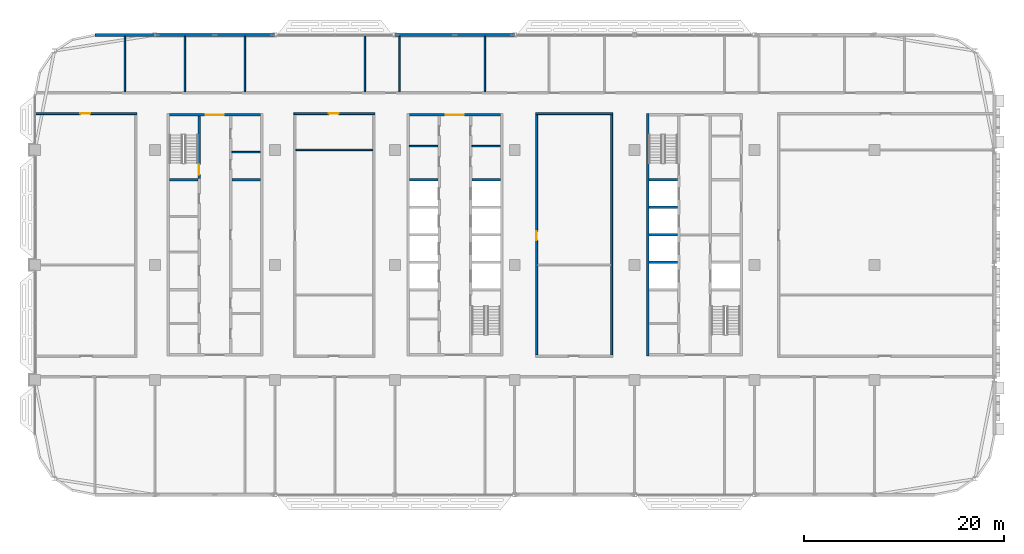
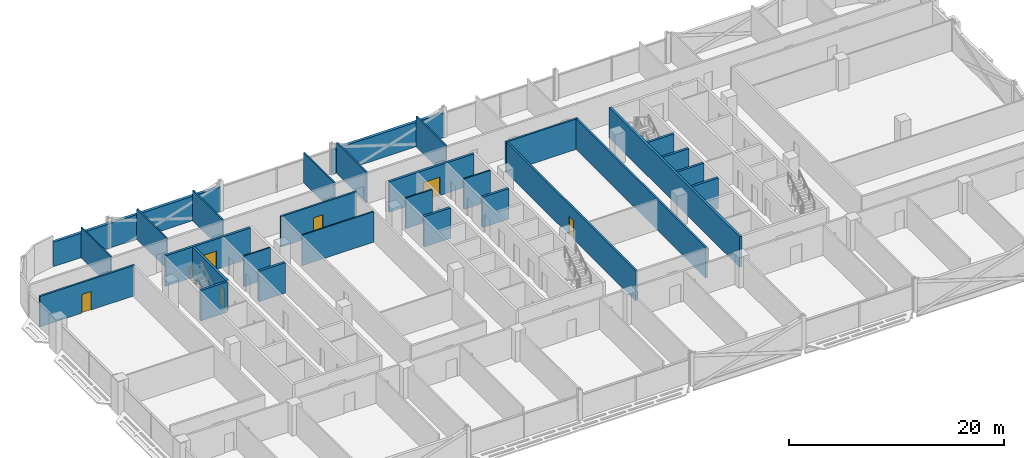
# One storey, part 15 of 29: 30 walls, 6 doors, 6 openings.
"""IFC4 building model written with IfcOpenShell, lengths in metres."""

from ifc_helpers import new_model, si_unit, direction, frame, frame_2d, origin, place, context, subcontext, project, spatial, rectangle, extrude, material, layer, layer_set, type_object, element, fill, save


model = new_model("IFC4")

# Units and contexts
model_context = context("Model", 3, precision=1e-05, world=origin(), true_north=direction((0.0, 1.0)))
body_context = subcontext(model_context, "Body", "Model", "MODEL_VIEW")
ifc_project = project(units=[si_unit("LENGTHUNIT", "METRE"), si_unit("AREAUNIT", "SQUARE_METRE"), si_unit("VOLUMEUNIT", "CUBIC_METRE"), si_unit("PLANEANGLEUNIT", "RADIAN"), si_unit("MASSUNIT", "GRAM", prefix="KILO")], contexts=[model_context])

# Site, building, storey
site_placement = place(None, origin())
site = spatial("IfcSite", under=ifc_project, at=site_placement, CompositionType="ELEMENT")
building_placement = place(site_placement, origin())
building = spatial("IfcBuilding", under=site, at=building_placement, Name="Mahtab Terrace Research Tower", CompositionType="ELEMENT")
storey_placement = place(building_placement, frame((0.0, 0.0, 197.699951171875)))
storey = spatial("IfcBuildingStorey", under=building, at=storey_placement, Name="L47", CompositionType="ELEMENT", Elevation=197.699951171875)

# Walls
ifc_material_1 = material(Name="Gypsum board partition")
ifc_layer_1 = layer(ifc_material_1, 0.14990234375)
ifc_layer_set_1 = layer_set([ifc_layer_1], Name="Core partition 150")
wall_type_1 = type_object("IfcWallType", Name="Core partition 150", PredefinedType="PARTITIONING", material=ifc_layer_set_1)
for number, where, z_axis, x_axis, name in (
    (1, (-22.300048828125, 11.27490234375, 0.0), (0.0, 0.0, 1.0), (1.0, 0.0, 0.0), "Core wall A pEN828"),
    (2, (-4.550048828125, 11.875, 0.0), (0.0, 0.0, 1.0), (1.0, 0.0, 0.0), "Core wall B pWN888"),
    (3, (1.699951171875, 11.875, 0.0), (0.0, 0.0, 1.0), (1.0, 0.0, 0.0), "Core wall B pEN888"),
):
    element("IfcWall", number, at=place(storey_placement, frame(where, z_axis=z_axis, x_axis=x_axis)), inside=storey, type_object=wall_type_1, Name=name, PredefinedType="PARTITIONING", context=body_context, shape_type="SweptSolid", body=[
        extrude(rectangle(XDim=2.85009765625, YDim=0.14990234375, at=frame_2d((1.425048828125, 0.0))), origin(), (0.0, 0.0, 1.0), 3.4599609375),
    ])

# Wall, opening, door
ifc_material_2 = material(Name="Concrete C70/85", Category="concrete")
ifc_layer_2 = layer(ifc_material_2, 0.25)
ifc_layer_set_2 = layer_set([ifc_layer_2], Name="Core wall 250")
wall_type_2 = type_object("IfcWallType", Name="Core wall 250", PredefinedType="SOLIDWALL", material=ifc_layer_set_2)
wall_1_placement = place(storey_placement, frame((-28.550048828125, 15.0, 0.0), z_axis=(0.0, 0.0, 1.0), x_axis=(1.0, 0.0, 0.0)))
wall_1 = element("IfcWall", 4, at=wall_1_placement, inside=storey, type_object=wall_type_2, Name="Core wall A endN", PredefinedType="SOLIDWALL", context=body_context, shape_type="SweptSolid", body=[
    extrude(rectangle(XDim=9.10009765625, YDim=0.25, at=frame_2d((4.550048828125, 0.0))), origin(), (0.0, 0.0, 1.0), 3.4599609375),
])
opening_1_placement = place(wall_1_placement, frame((3.64990234375, 0.0, 0.0)))
opening_1 = element("IfcOpeningElement", 5, at=opening_1_placement, cuts=wall_1, Name="Opening A-N1", PredefinedType="OPENING", context=body_context, shape_type="SweptSolid", body=[
    extrude(rectangle(XDim=1.800048828125, YDim=2.10009765625, at=frame_2d((0.89990234375, 1.050048828125))), frame((0.0, 0.135009765625, 0.0), z_axis=(0.0, -1.0, 0.0), x_axis=(1.0, 0.0, 0.0)), (0.0, 0.0, 1.0), 0.27001953125),
])
ifc_material_3 = material(Name="Steel fire door", Category="steel")
door_type_1 = type_object("IfcDoorType", Name="Lobby double door 1800x2100 1 HR", OperationType="DOUBLE_DOOR_SINGLE_SWING", PredefinedType="DOOR", material=ifc_material_3)
door_1_placement = place(opening_1_placement, origin())
door_1 = element("IfcDoor", 6, at=door_1_placement, inside=storey, type_object=door_type_1, Name="Core entrance door A N", OperationType="DOUBLE_DOOR_SINGLE_SWING", OverallHeight=2.10009765625, OverallWidth=1.800048828125, PredefinedType="DOOR", context=body_context, shape_type="SweptSolid", body=[
    extrude(rectangle(XDim=1.800048828125, YDim=2.10009765625, at=frame_2d((0.89990234375, 1.050048828125))), frame((0.0, 0.02490234375, 0.0), z_axis=(0.0, -1.0, 0.0), x_axis=(1.0, 0.0, 0.0)), (0.0, 0.0, 1.0), 0.050048828125),
])
fill(opening_1, door_1)

wall_2_placement = place(storey_placement, frame((-25.574951171875, 14.875, 0.0), z_axis=(0.0, 0.0, 1.0), x_axis=(0.0, -1.0, 0.0)))
wall_2 = element("IfcWall", 7, at=wall_2_placement, inside=storey, type_object=wall_type_2, Name="Core wall A innerWN", PredefinedType="SOLIDWALL", context=body_context, shape_type="SweptSolid", body=[
    extrude(rectangle(XDim=6.25, YDim=0.25, at=frame_2d((3.125, 0.0))), origin(), (0.0, 0.0, 1.0), 3.4599609375),
])
opening_2_placement = place(wall_2_placement, frame((4.85009765625, 0.0, 0.0)))
opening_2 = element("IfcOpeningElement", 8, at=opening_2_placement, cuts=wall_2, Name="Opening A-ST1", PredefinedType="OPENING", context=body_context, shape_type="SweptSolid", body=[
    extrude(rectangle(XDim=1.0, YDim=2.10009765625, at=frame_2d((0.5, 1.050048828125))), frame((0.0, 0.135009765625, 0.0), z_axis=(0.0, -1.0, 0.0), x_axis=(1.0, 0.0, 0.0)), (0.0, 0.0, 1.0), 0.27001953125),
])
door_type_2 = type_object("IfcDoorType", Name="Stair door 1000x2100 1.5 HR", OperationType="NOTDEFINED", PredefinedType="DOOR", material=ifc_material_3)
door_2_placement = place(opening_2_placement, origin())
door_2 = element("IfcDoor", 9, at=door_2_placement, inside=storey, type_object=door_type_2, Name="Stair door ST1 L47", OperationType="SINGLE_SWING_LEFT", OverallHeight=2.10009765625, OverallWidth=1.0, PredefinedType="DOOR", context=body_context, shape_type="SweptSolid", body=[
    extrude(rectangle(XDim=1.0, YDim=2.10009765625, at=frame_2d((0.5, 1.050048828125))), frame((0.0, 0.02490234375, 0.0), z_axis=(0.0, -1.0, 0.0), x_axis=(1.0, 0.0, 0.0)), (0.0, 0.0, 1.0), 0.050048828125),
])
fill(opening_2, door_2)

# Walls
for number, where, z_axis, x_axis, name in (
    (10, (-28.550048828125, 8.5, 0.0), (0.0, 0.0, 1.0), (1.0, 0.0, 0.0), "Core wall A divW4"),
    (11, (-22.300048828125, 8.5, 0.0), (0.0, 0.0, 1.0), (1.0, 0.0, 0.0), "Core wall A divE4"),
):
    element("IfcWall", number, at=place(storey_placement, frame(where, z_axis=z_axis, x_axis=x_axis)), inside=storey, type_object=wall_type_2, Name=name, PredefinedType="SOLIDWALL", context=body_context, shape_type="SweptSolid", body=[
        extrude(rectangle(XDim=2.85009765625, YDim=0.25, at=frame_2d((1.425048828125, 0.0))), origin(), (0.0, 0.0, 1.0), 3.4599609375),
    ])

# Wall, opening, door
wall_3_placement = place(storey_placement, frame((-4.550048828125, 15.0, 0.0), z_axis=(0.0, 0.0, 1.0), x_axis=(1.0, 0.0, 0.0)))
wall_3 = element("IfcWall", 12, at=wall_3_placement, inside=storey, type_object=wall_type_2, Name="Core wall B endN", PredefinedType="SOLIDWALL", context=body_context, shape_type="SweptSolid", body=[
    extrude(rectangle(XDim=9.10009765625, YDim=0.25, at=frame_2d((4.550048828125, 0.0))), origin(), (0.0, 0.0, 1.0), 3.4599609375),
])
opening_3_placement = place(wall_3_placement, frame((3.64990234375, 0.0, 0.0)))
opening_3 = element("IfcOpeningElement", 13, at=opening_3_placement, cuts=wall_3, Name="Opening B-N1", PredefinedType="OPENING", context=body_context, shape_type="SweptSolid", body=[
    extrude(rectangle(XDim=1.800048828125, YDim=2.10009765625, at=frame_2d((0.89990234375, 1.050048828125))), frame((0.0, 0.135009765625, 0.0), z_axis=(0.0, -1.0, 0.0), x_axis=(1.0, 0.0, 0.0)), (0.0, 0.0, 1.0), 0.27001953125),
])
door_3_placement = place(opening_3_placement, origin())
door_3 = element("IfcDoor", 14, at=door_3_placement, inside=storey, type_object=door_type_1, Name="Core entrance door B N", OperationType="DOUBLE_DOOR_SINGLE_SWING", OverallHeight=2.10009765625, OverallWidth=1.800048828125, PredefinedType="DOOR", context=body_context, shape_type="SweptSolid", body=[
    extrude(rectangle(XDim=1.800048828125, YDim=2.10009765625, at=frame_2d((0.89990234375, 1.050048828125))), frame((0.0, 0.02490234375, 0.0), z_axis=(0.0, -1.0, 0.0), x_axis=(1.0, 0.0, 0.0)), (0.0, 0.0, 1.0), 0.050048828125),
])
fill(opening_3, door_3)

# Walls
for number, where, z_axis, x_axis, name in (
    (15, (-4.550048828125, 8.5, 0.0), (0.0, 0.0, 1.0), (1.0, 0.0, 0.0), "Core wall B divW4"),
    (16, (1.699951171875, 8.5, 0.0), (0.0, 0.0, 1.0), (1.0, 0.0, 0.0), "Core wall B divE4"),
):
    element("IfcWall", number, at=place(storey_placement, frame(where, z_axis=z_axis, x_axis=x_axis)), inside=storey, type_object=wall_type_2, Name=name, PredefinedType="SOLIDWALL", context=body_context, shape_type="SweptSolid", body=[
        extrude(rectangle(XDim=2.85009765625, YDim=0.25, at=frame_2d((1.425048828125, 0.0))), origin(), (0.0, 0.0, 1.0), 3.4599609375),
    ])
wall_4_placement = place(storey_placement, frame((19.324951171875, 15.125, 0.0), z_axis=(0.0, 0.0, 1.0), x_axis=(0.0, -1.0, 0.0)))
element("IfcWall", 17, at=wall_4_placement, inside=storey, type_object=wall_type_2, Name="Core wall C outerW", PredefinedType="SOLIDWALL", context=body_context, shape_type="SweptSolid", body=[
    extrude(rectangle(XDim=24.25, YDim=0.25, at=frame_2d((12.125, 0.0))), origin(), (0.0, 0.0, 1.0), 3.4599609375),
])
for number, where, z_axis, x_axis, name in (
    (18, (19.449951171875, 0.25, 0.0), (0.0, 0.0, 1.0), (1.0, 0.0, 0.0), "Core wall C divW1"),
    (19, (19.449951171875, 3.0, 0.0), (0.0, 0.0, 1.0), (1.0, 0.0, 0.0), "Core wall C divW2"),
    (20, (19.449951171875, 5.75, 0.0), (0.0, 0.0, 1.0), (1.0, 0.0, 0.0), "Core wall C divW3"),
    (21, (19.449951171875, 8.5, 0.0), (0.0, 0.0, 1.0), (1.0, 0.0, 0.0), "Core wall C divW4"),
):
    element("IfcWall", number, at=place(storey_placement, frame(where, z_axis=z_axis, x_axis=x_axis)), inside=storey, type_object=wall_type_2, Name=name, PredefinedType="SOLIDWALL", context=body_context, shape_type="SweptSolid", body=[
        extrude(rectangle(XDim=2.85009765625, YDim=0.25, at=frame_2d((1.425048828125, 0.0))), origin(), (0.0, 0.0, 1.0), 3.4599609375),
    ])
ifc_material_4 = material(Name="Black aluminium cladding panel", Category="aluminium")
ifc_layer_3 = layer(ifc_material_4, 0.300048828125)
ifc_layer_set_3 = layer_set([ifc_layer_3], Name="Opaque facade wall 300")
wall_type_3 = type_object("IfcWallType", Name="Opaque facade wall 300", PredefinedType="NOTDEFINED", material=ifc_layer_set_3)
for number, where, z_axis, x_axis, name in (
    (22, (5.987548828125, 23.0, 0.0), (0.0, 0.0, 1.0), (-1.0, 0.0, 0.0), "Opaque facade wall L47 N7"),
    (23, (-18.012451171875, 23.0, 0.0), (0.0, 0.0, 1.0), (-1.0, 0.0, 0.0), "Opaque facade wall L47 N9"),
):
    element("IfcWall", number, at=place(storey_placement, frame(where, z_axis=z_axis, x_axis=x_axis)), inside=storey, type_object=wall_type_3, Name=name, PredefinedType="NOTDEFINED", context=body_context, shape_type="SweptSolid", body=[
        extrude(rectangle(XDim=11.97509765625, YDim=0.300048828125, at=frame_2d((5.987548828125, 0.0))), origin(), (0.0, 0.0, 1.0), 2.78173828125),
    ])
wall_5_placement = place(storey_placement, frame((-30.012451171875, 23.0, 0.0), z_axis=(0.0, 0.0, 1.0), x_axis=(-1.0, 0.0, 0.0)))
element("IfcWall", 24, at=wall_5_placement, inside=storey, type_object=wall_type_3, Name="Opaque facade wall L47 N10", PredefinedType="NOTDEFINED", context=body_context, shape_type="SweptSolid", body=[
    extrude(rectangle(XDim=5.987548828125, YDim=0.300048828125, at=frame_2d((2.99365234375, 0.0))), origin(), (0.0, 0.0, 1.0), 2.78173828125),
])

# Wall, opening, door
ifc_material_5 = material(Name="Gypsum board corridor wall on steel studs", Category="steel")
ifc_layer_4 = layer(ifc_material_5, 0.199951171875)
ifc_layer_set_4 = layer_set([ifc_layer_4], Name="WALL CORRIDOR 200")
wall_type_4 = type_object("IfcWallType", Name="WALL CORRIDOR 200", PredefinedType="PARTITIONING", material=ifc_layer_set_4)
wall_6_placement = place(storey_placement, frame((-41.97509765625, 15.125, 0.0), z_axis=(0.0, 0.0, 1.0), x_axis=(1.0, 0.0, 0.0)))
wall_6 = element("IfcWall", 25, at=wall_6_placement, inside=storey, type_object=wall_type_4, Name="L47-W020", PredefinedType="PARTITIONING", context=body_context, shape_type="SweptSolid", body=[
    extrude(rectangle(XDim=10.175048828125, YDim=0.199951171875, at=frame_2d((5.08740234375, 0.0))), origin(), (0.0, 0.0, 1.0), 3.4599609375),
])
opening_4_placement = place(wall_6_placement, frame((4.5, 0.0, 0.0)))
opening_4 = element("IfcOpeningElement", 26, at=opening_4_placement, cuts=wall_6, Name="Opening L47-122", PredefinedType="OPENING", context=body_context, shape_type="SweptSolid", body=[
    extrude(rectangle(XDim=1.0, YDim=2.10009765625, at=frame_2d((0.5, 1.050048828125))), frame((0.0, 0.10986328125, 0.0), z_axis=(0.0, -1.0, 0.0), x_axis=(1.0, 0.0, 0.0)), (0.0, 0.0, 1.0), 0.219970703125),
])
ifc_material_6 = material(Name="Timber door leaf in steel frame", Category="steel")
door_type_3 = type_object("IfcDoorType", Name="DOOR 1000X2100 FD30S", OperationType="SINGLE_SWING_LEFT", PredefinedType="DOOR", material=ifc_material_6)
door_4_placement = place(opening_4_placement, origin())
door_4 = element("IfcDoor", 27, at=door_4_placement, inside=storey, type_object=door_type_3, Name="Door L47-122", OperationType="SINGLE_SWING_RIGHT", OverallHeight=2.10009765625, OverallWidth=1.0, PredefinedType="DOOR", context=body_context, shape_type="SweptSolid", body=[
    extrude(rectangle(XDim=1.0, YDim=2.10009765625, at=frame_2d((0.5, 1.050048828125))), frame((0.0, 0.02490234375, 0.0), z_axis=(0.0, -1.0, 0.0), x_axis=(1.0, 0.0, 0.0)), (0.0, 0.0, 1.0), 0.050048828125),
])
fill(opening_4, door_4)

wall_7_placement = place(storey_placement, frame((-16.10009765625, 15.125, 0.0), z_axis=(0.0, 0.0, 1.0), x_axis=(1.0, 0.0, 0.0)))
wall_7 = element("IfcWall", 28, at=wall_7_placement, inside=storey, type_object=wall_type_4, Name="L47-W021", PredefinedType="PARTITIONING", context=body_context, shape_type="SweptSolid", body=[
    extrude(rectangle(XDim=8.10009765625, YDim=0.199951171875, at=frame_2d((4.050048828125, 0.0))), origin(), (0.0, 0.0, 1.0), 3.4599609375),
])
opening_5_placement = place(wall_7_placement, frame((3.5, 0.0, 0.0)))
opening_5 = element("IfcOpeningElement", 29, at=opening_5_placement, cuts=wall_7, Name="Opening L47-124", PredefinedType="OPENING", context=body_context, shape_type="SweptSolid", body=[
    extrude(rectangle(XDim=1.0, YDim=2.10009765625, at=frame_2d((0.5, 1.050048828125))), frame((0.0, 0.10986328125, 0.0), z_axis=(0.0, -1.0, 0.0), x_axis=(1.0, 0.0, 0.0)), (0.0, 0.0, 1.0), 0.219970703125),
])
door_5_placement = place(opening_5_placement, origin())
door_5 = element("IfcDoor", 30, at=door_5_placement, inside=storey, type_object=door_type_3, Name="Door L47-124", OperationType="SINGLE_SWING_RIGHT", OverallHeight=2.10009765625, OverallWidth=1.0, PredefinedType="DOOR", context=body_context, shape_type="SweptSolid", body=[
    extrude(rectangle(XDim=1.0, YDim=2.10009765625, at=frame_2d((0.5, 1.050048828125))), frame((0.0, 0.02490234375, 0.0), z_axis=(0.0, -1.0, 0.0), x_axis=(1.0, 0.0, 0.0)), (0.0, 0.0, 1.0), 0.050048828125),
])
fill(opening_5, door_5)

# Wall
wall_8_placement = place(storey_placement, frame((8.10009765625, 15.125, 0.0), z_axis=(0.0, 0.0, 1.0), x_axis=(1.0, 0.0, 0.0)))
element("IfcWall", 31, at=wall_8_placement, inside=storey, type_object=wall_type_4, Name="L47-W022", PredefinedType="PARTITIONING", context=body_context, shape_type="SweptSolid", body=[
    extrude(rectangle(XDim=7.699951171875, YDim=0.199951171875, at=frame_2d((3.85009765625, 0.0))), origin(), (0.0, 0.0, 1.0), 3.4599609375),
])

# Wall, opening, door
wall_9_placement = place(storey_placement, frame((8.199951171875, -9.02490234375, 0.0), z_axis=(0.0, 0.0, 1.0), x_axis=(0.0, 1.0, 0.0)))
wall_9 = element("IfcWall", 32, at=wall_9_placement, inside=storey, type_object=wall_type_4, Name="L47-W042", PredefinedType="PARTITIONING", context=body_context, shape_type="SweptSolid", body=[
    extrude(rectangle(XDim=24.0498046875, YDim=0.199951171875, at=frame_2d((12.02490234375, 0.0))), origin(), (0.0, 0.0, 1.0), 3.4599609375),
])
opening_6_placement = place(wall_9_placement, frame((11.5, 0.0, 0.0)))
opening_6 = element("IfcOpeningElement", 33, at=opening_6_placement, cuts=wall_9, Name="Opening L47-123", PredefinedType="OPENING", context=body_context, shape_type="SweptSolid", body=[
    extrude(rectangle(XDim=0.89990234375, YDim=2.10009765625, at=frame_2d((0.449951171875, 1.050048828125))), frame((0.0, 0.10986328125, 0.0), z_axis=(0.0, -1.0, 0.0), x_axis=(1.0, 0.0, 0.0)), (0.0, 0.0, 1.0), 0.219970703125),
])
door_type_4 = type_object("IfcDoorType", Name="DOOR 0900X2100 FD30S", OperationType="SINGLE_SWING_LEFT", PredefinedType="DOOR", material=ifc_material_6)
door_6_placement = place(opening_6_placement, origin())
door_6 = element("IfcDoor", 34, at=door_6_placement, inside=storey, type_object=door_type_4, Name="Door L47-123", OperationType="SINGLE_SWING_RIGHT", OverallHeight=2.10009765625, OverallWidth=0.89990234375, PredefinedType="DOOR", context=body_context, shape_type="SweptSolid", body=[
    extrude(rectangle(XDim=0.89990234375, YDim=2.10009765625, at=frame_2d((0.449951171875, 1.050048828125))), frame((0.0, 0.02490234375, 0.0), z_axis=(0.0, -1.0, 0.0), x_axis=(1.0, 0.0, 0.0)), (0.0, 0.0, 1.0), 0.050048828125),
])
fill(opening_6, door_6)

# Walls
wall_10_placement = place(storey_placement, frame((15.699951171875, -9.02490234375, 0.0), z_axis=(0.0, 0.0, 1.0), x_axis=(0.0, 1.0, 0.0)))
element("IfcWall", 35, at=wall_10_placement, inside=storey, type_object=wall_type_4, Name="L47-W046", PredefinedType="PARTITIONING", context=body_context, shape_type="SweptSolid", body=[
    extrude(rectangle(XDim=24.0498046875, YDim=0.199951171875, at=frame_2d((12.02490234375, 0.0))), origin(), (0.0, 0.0, 1.0), 3.4599609375),
])
ifc_material_7 = material(Name="Gypsum board partition on steel studs", Category="steel")
ifc_layer_5 = layer(ifc_material_7, 0.14990234375)
ifc_layer_set_5 = layer_set([ifc_layer_5], Name="WALL PARTITION 150")
wall_type_5 = type_object("IfcWallType", Name="WALL PARTITION 150", PredefinedType="PARTITIONING", material=ifc_layer_set_5)
wall_11_placement = place(storey_placement, frame((-15.89990234375, 11.5, 0.0), z_axis=(0.0, 0.0, 1.0), x_axis=(1.0, 0.0, 0.0)))
element("IfcWall", 36, at=wall_11_placement, inside=storey, type_object=wall_type_5, Name="L47-W017", PredefinedType="PARTITIONING", context=body_context, shape_type="SweptSolid", body=[
    extrude(rectangle(XDim=7.699951171875, YDim=0.14990234375, at=frame_2d((3.85009765625, 0.0))), origin(), (0.0, 0.0, 1.0), 3.4599609375),
])
for number, where, z_axis, x_axis, name in (
    (37, (-33.0, 17.300048828125, 0.0), (0.0, 0.0, 1.0), (0.0, 1.0, 0.0), "L47-W026"),
    (38, (-27.0, 17.300048828125, 0.0), (0.0, 0.0, 1.0), (0.0, 1.0, 0.0), "L47-W029"),
    (39, (-21.0, 17.300048828125, 0.0), (0.0, 0.0, 1.0), (0.0, 1.0, 0.0), "L47-W031"),
):
    element("IfcWall", number, at=place(storey_placement, frame(where, z_axis=z_axis, x_axis=x_axis)), inside=storey, type_object=wall_type_5, Name=name, PredefinedType="PARTITIONING", context=body_context, shape_type="SweptSolid", body=[
        extrude(rectangle(XDim=5.550048828125, YDim=0.14990234375, at=frame_2d((2.77490234375, 0.0))), origin(), (0.0, 0.0, 1.0), 3.4599609375),
    ])
wall_12_placement = place(storey_placement, frame((-9.0, 17.300048828125, 0.0), z_axis=(0.0, 0.0, 1.0), x_axis=(0.0, 1.0, 0.0)))
element("IfcWall", 40, at=wall_12_placement, inside=storey, type_object=wall_type_5, Name="L47-W035", PredefinedType="PARTITIONING", context=body_context, shape_type="SweptSolid", body=[
    extrude(rectangle(XDim=5.675048828125, YDim=0.14990234375, at=frame_2d((2.83740234375, 0.0))), origin(), (0.0, 0.0, 1.0), 3.4599609375),
])
for number, where, z_axis, x_axis, name in (
    (41, (-5.550048828125, 17.300048828125, 0.0), (0.0, 0.0, 1.0), (0.0, 1.0, 0.0), "L47-W038"),
    (42, (3.0, 17.300048828125, 0.0), (0.0, 0.0, 1.0), (0.0, 1.0, 0.0), "L47-W040"),
):
    element("IfcWall", number, at=place(storey_placement, frame(where, z_axis=z_axis, x_axis=x_axis)), inside=storey, type_object=wall_type_5, Name=name, PredefinedType="PARTITIONING", context=body_context, shape_type="SweptSolid", body=[
        extrude(rectangle(XDim=5.550048828125, YDim=0.14990234375, at=frame_2d((2.77490234375, 0.0))), origin(), (0.0, 0.0, 1.0), 3.4599609375),
    ])

save(model, "model.ifc")
